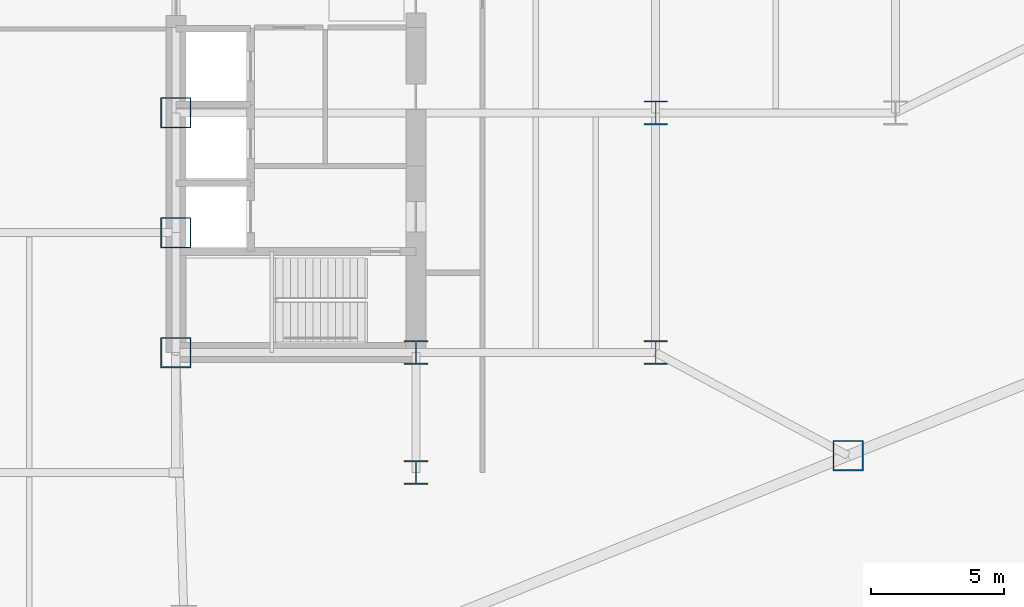
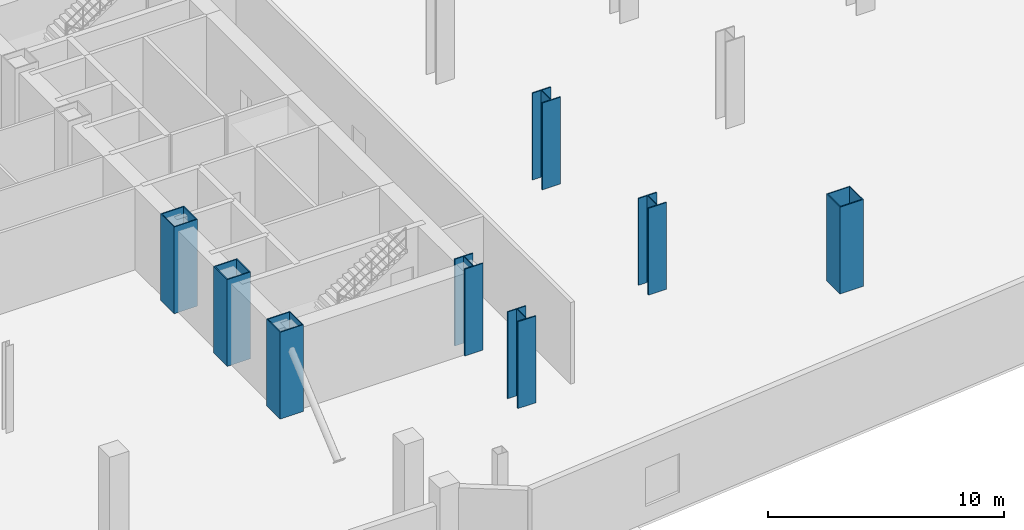
# One storey, part 6 of 25: 8 columns.
"""IFC4 building model written with IfcOpenShell, lengths in metres."""

from ifc_helpers import new_model, si_unit, direction, frame, origin, origin_2d, place, context, subcontext, project, spatial, hollow_rectangle, i_section, extrude, source, transform, mapped, material, material_profile, profile_set, type_object, type_shapes, element, save


model = new_model("IFC4")

# Units and contexts
model_context = context("Model", 3, precision=1e-05, world=origin(), true_north=direction((0.0, 1.0)))
body_context = subcontext(model_context, "Body", "Model", "MODEL_VIEW")
ifc_project = project(units=[si_unit("LENGTHUNIT", "METRE"), si_unit("AREAUNIT", "SQUARE_METRE"), si_unit("VOLUMEUNIT", "CUBIC_METRE"), si_unit("PLANEANGLEUNIT", "RADIAN"), si_unit("MASSUNIT", "GRAM", prefix="KILO")], contexts=[model_context])

# Site, building, storey
site_placement = place(None, origin())
site = spatial("IfcSite", under=ifc_project, at=site_placement, CompositionType="ELEMENT")
building_placement = place(site_placement, origin())
building = spatial("IfcBuilding", under=site, at=building_placement, Name="Seokmaru Belvedere", CompositionType="ELEMENT")
storey_placement = place(building_placement, frame((0.0, 0.0, 5.39990234375)))
storey = spatial("IfcBuildingStorey", under=building, at=storey_placement, Name="L01", CompositionType="ELEMENT", Elevation=5.39990234375)

# Columns
ifc_material = material(Name="Steel HSA650 (650 MPa)", Category="steel")
ifc_material_profile_1 = material_profile(ifc_material, hollow_rectangle(XDim=1.14990234375, YDim=1.14990234375, WallThickness=0.048095703125, at=origin_2d()), Name="BOX-1150x1150x48")
ifc_profile_set_1 = profile_set([ifc_material_profile_1], Name="Steel HSA650 (650 MPa)")
column_type_1 = type_object("IfcColumnType", Name="Portal Spine Column BOX-1150", PredefinedType="COLUMN", material=ifc_profile_set_1)
shared_shape_1 = source(origin(), body_context, "Body", "SweptSolid", [
    extrude(hollow_rectangle(XDim=1.14990234375, YDim=1.14990234375, WallThickness=0.048095703125, at=origin_2d()), origin(), (0.0, 0.0, 1.0), 4.5),
])
type_shapes(column_type_1, [shared_shape_1])
for number, where, z_axis, x_axis, name in (
    (1, (27.5, -13.5, 0.0), (0.0, 0.0, 1.0), (1.0, 0.0, 0.0), "L01 Column ES1"),
    (2, (27.5, -9.0, 0.0), (0.0, 0.0, 1.0), (1.0, 0.0, 0.0), "L01 Column ES2"),
    (3, (27.5, -4.5, 0.0), (0.0, 0.0, 1.0), (1.0, 0.0, 0.0), "L01 Column ES3"),
    (4, (52.715576171875, -17.360595703125, 0.0), (0.0, 0.0, 1.0), (1.0, 0.0, 0.0), "L01 Column EFLK_S2"),
):
    element("IfcColumn", number, at=place(storey_placement, frame(where, z_axis=z_axis, x_axis=x_axis)), inside=storey, type_object=column_type_1, Name=name, PredefinedType="COLUMN", context=body_context, shape_type="MappedRepresentation", body=[
        mapped(shared_shape_1, transform((0.0, 0.0, 0.0), scale=1.0)),
    ])
ifc_material_profile_2 = material_profile(ifc_material, i_section(OverallWidth=0.89990234375, OverallDepth=0.89990234375, WebThickness=0.035888671875, FlangeThickness=0.054931640625, at=origin_2d()), Name="H-900x900x36x55")
ifc_profile_set_2 = profile_set([ifc_material_profile_2], Name="Steel HSA650 (650 MPa)")
column_type_2 = type_object("IfcColumnType", Name="Lower Interior Column H-900", PredefinedType="COLUMN", material=ifc_profile_set_2)
shared_shape_2 = source(origin(), body_context, "Body", "SweptSolid", [
    extrude(i_section(OverallWidth=0.89990234375, OverallDepth=0.89990234375, WebThickness=0.035888671875, FlangeThickness=0.054931640625, at=origin_2d()), origin(), (0.0, 0.0, 1.0), 4.5),
])
type_shapes(column_type_2, [shared_shape_2])
for number, where, z_axis, x_axis, name in (
    (5, (36.5, -18.0, 0.0), (0.0, 0.0, 1.0), (1.0, 0.0, 0.0), "L01 Column EC1"),
    (6, (36.5, -13.5, 0.0), (0.0, 0.0, 1.0), (1.0, 0.0, 0.0), "L01 Column EC2"),
    (7, (45.5, -13.5, 0.0), (0.0, 0.0, 1.0), (1.0, 0.0, 0.0), "L01 Column EG5_1"),
    (8, (45.5, -4.5, 0.0), (0.0, 0.0, 1.0), (1.0, 0.0, 0.0), "L01 Column EG5_2"),
):
    element("IfcColumn", number, at=place(storey_placement, frame(where, z_axis=z_axis, x_axis=x_axis)), inside=storey, type_object=column_type_2, Name=name, PredefinedType="COLUMN", context=body_context, shape_type="MappedRepresentation", body=[
        mapped(shared_shape_2, transform((0.0, 0.0, 0.0), scale=1.0)),
    ])

save(model, "model.ifc")
